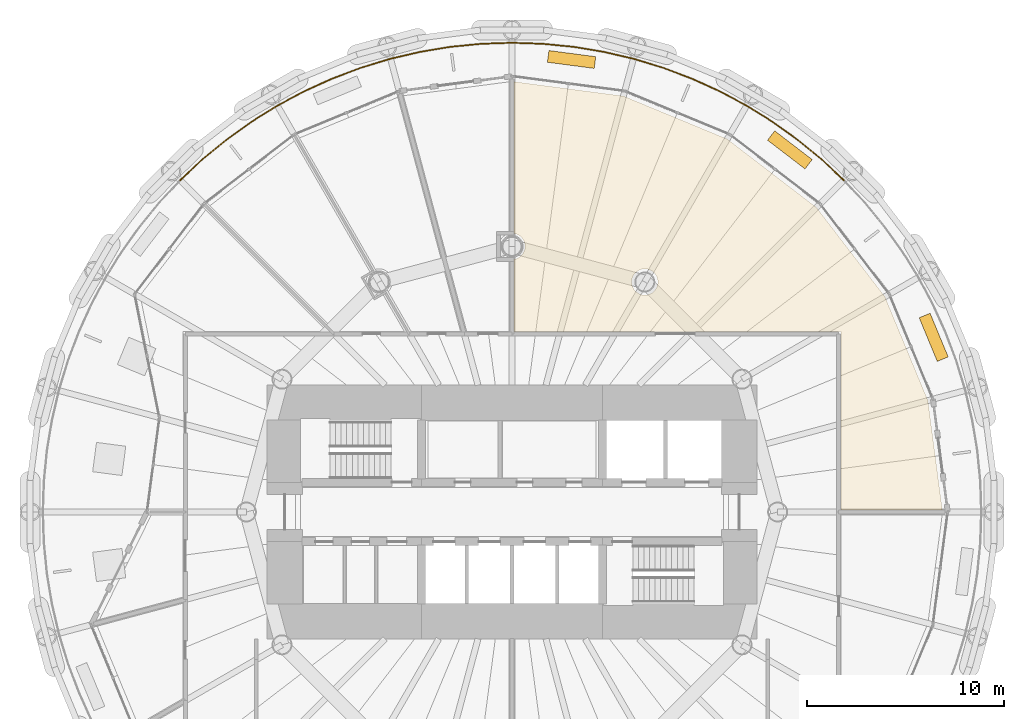
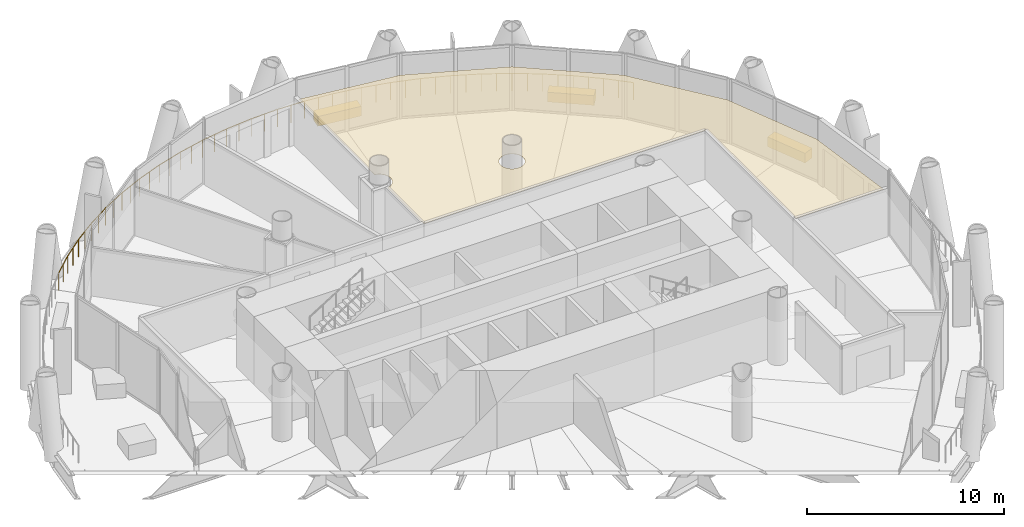
# One storey, part 16 of 16: 4 coverings, 1 railing.
"""IFC4 building model written with IfcOpenShell, lengths in metres."""

from ifc_helpers import new_model, si_unit, direction, frame, origin, origin_2d, place, context, subcontext, project, spatial, polyline, rectangle, circle, outline, extrude, material, layer, layer_set, type_object, element, save


model = new_model("IFC4")

# Units and contexts
model_context = context("Model", 3, precision=1e-05, world=origin(), true_north=direction((0.0, 1.0)))
body_context = subcontext(model_context, "Body", "Model", "MODEL_VIEW")
ifc_project = project(units=[si_unit("LENGTHUNIT", "METRE"), si_unit("AREAUNIT", "SQUARE_METRE"), si_unit("VOLUMEUNIT", "CUBIC_METRE"), si_unit("PLANEANGLEUNIT", "RADIAN"), si_unit("MASSUNIT", "GRAM", prefix="KILO")], contexts=[model_context])

# Site, building, storey
site_placement = place(None, origin())
site = spatial("IfcSite", under=ifc_project, at=site_placement, CompositionType="ELEMENT")
building_placement = place(site_placement, origin())
building = spatial("IfcBuilding", under=site, at=building_placement, Name="Qaws Media Tower", CompositionType="ELEMENT")
storey_placement = place(building_placement, frame((0.0, 0.0, 173.0)))
storey = spatial("IfcBuildingStorey", under=building, at=storey_placement, Name="L39", CompositionType="ELEMENT", Elevation=173.0)

# Railing
ifc_material_1 = material(Name="Stainless steel and glass guard", Category="steel")
railing_type = type_object("IfcRailingType", Name="Balcony guard 1100", PredefinedType="GUARDRAIL", material=ifc_material_1)
railing_placement = place(storey_placement, frame((76.864501953125, 66.864501953125, 0.0)))
element("IfcRailing", 1, at=railing_placement, inside=storey, type_object=railing_type, Name="GR1 balcony guard L39-1", PredefinedType="GUARDRAIL", context=body_context, shape_type="SweptSolid", body=[
    extrude(circle(Radius=0.02392578125, at=origin_2d()), frame((0.0, 0.0, 1.076171875), z_axis=(-0.729878581292, 0.683576811025, 0.0), x_axis=(-0.683576811025, -0.729878581292, 0.0)), (0.0, 0.0, 1.0), 1.560791015625),
    extrude(circle(Radius=0.02392578125, at=origin_2d()), frame((-1.13916015625, 1.06689453125, 1.076171875), z_axis=(-0.773008451366, 0.634395723596, 0.0), x_axis=(-0.634395723596, -0.773008451366, 0.0)), (0.0, 0.0, 1.0), 1.560546875),
    extrude(circle(Radius=0.02392578125, at=origin_2d()), frame((-2.345458984375, 2.056884765625, 1.076171875), z_axis=(-0.812855388371, 0.582465550566, 0.0), x_axis=(-0.582465550566, -0.812855388371, 0.0)), (0.0, 0.0, 1.0), 1.56103515625),
    extrude(circle(Radius=0.02392578125, at=origin_2d()), frame((-3.6142578125, 2.966064453125, 1.076171875), z_axis=(-0.849156389443, 0.528141483191, 0.0), x_axis=(-0.528141483191, -0.849156389443, 0.0)), (0.0, 0.0, 1.0), 1.560546875),
    extrude(circle(Radius=0.02392578125, at=origin_2d()), frame((-4.939453125, 3.790283203125, 1.076171875), z_axis=(-0.881958577003, 0.471326923113, 0.0), x_axis=(-0.471326923113, -0.881958577003, 0.0)), (0.0, 0.0, 1.0), 1.560791015625),
    extrude(circle(Radius=0.02392578125, at=origin_2d()), frame((-6.31591796875, 4.52587890625, 1.076171875), z_axis=(-0.910885403553, 0.412659401438, 0.0), x_axis=(-0.412659401438, -0.910885403553, 0.0)), (0.0, 0.0, 1.0), 1.560791015625),
    extrude(circle(Radius=0.02392578125, at=origin_2d()), frame((-7.737548828125, 5.169921875, 1.076171875), z_axis=(-0.935897765459, 0.352271731208, 0.0), x_axis=(-0.352271731208, -0.935897765459, 0.0)), (0.0, 0.0, 1.0), 1.560791015625),
    extrude(circle(Radius=0.02392578125, at=origin_2d()), frame((-9.1982421875, 5.7197265625, 1.076171875), z_axis=(-0.956921720101, 0.290346037683, 0.0), x_axis=(-0.290346037683, -0.956921720101, 0.0)), (0.0, 0.0, 1.0), 1.560546875),
    extrude(circle(Radius=0.02392578125, at=origin_2d()), frame((-10.691650390625, 6.1728515625, 1.076171875), z_axis=(-0.973866586777, 0.227120829425, 0.0), x_axis=(-0.227120829425, -0.973866586777, 0.0)), (0.0, 0.0, 1.0), 1.560791015625),
    extrude(circle(Radius=0.02392578125, at=origin_2d()), frame((-12.211669921875, 6.52734375, 1.076171875), z_axis=(-0.986650620289, 0.162851323247, 0.0), x_axis=(-0.162851323247, -0.986650620289, 0.0)), (0.0, 0.0, 1.0), 1.560546875),
    extrude(circle(Radius=0.02392578125, at=origin_2d()), frame((-13.75146484375, 6.781494140625, 1.076171875), z_axis=(-0.995193912784, 0.097923827319, 0.0), x_axis=(-0.097923827319, -0.995193912784, 0.0)), (0.0, 0.0, 1.0), 1.560791015625),
    extrude(circle(Radius=0.02392578125, at=origin_2d()), frame((-15.3046875, 6.934326171875, 1.076171875), z_axis=(-0.999460251937, 0.032851252607, 0.0), x_axis=(-0.032851252607, -0.999460251937, 0.0)), (0.0, 0.0, 1.0), 1.560546875),
    extrude(circle(Radius=0.02392578125, at=origin_2d()), frame((-16.864501953125, 6.985595703125, 1.076171875), z_axis=(-0.999460251937, -0.032851252607, 0.0), x_axis=(0.032851252607, -0.999460251937, 0.0)), (0.0, 0.0, 1.0), 1.560546875),
    extrude(circle(Radius=0.02392578125, at=origin_2d()), frame((-18.42431640625, 6.934326171875, 1.076171875), z_axis=(-0.995193912784, -0.097923827319, 0.0), x_axis=(0.097923827319, -0.995193912784, 0.0)), (0.0, 0.0, 1.0), 1.560791015625),
    extrude(circle(Radius=0.02392578125, at=origin_2d()), frame((-19.9775390625, 6.781494140625, 1.076171875), z_axis=(-0.986650620289, -0.162851323247, 0.0), x_axis=(0.162851323247, -0.986650620289, 0.0)), (0.0, 0.0, 1.0), 1.560546875),
    extrude(circle(Radius=0.02392578125, at=origin_2d()), frame((-21.517333984375, 6.52734375, 1.076171875), z_axis=(-0.973866586777, -0.227120829425, 0.0), x_axis=(0.227120829425, -0.973866586777, 0.0)), (0.0, 0.0, 1.0), 1.560791015625),
    extrude(circle(Radius=0.02392578125, at=origin_2d()), frame((-23.037353515625, 6.1728515625, 1.076171875), z_axis=(-0.956921720101, -0.290346037683, 0.0), x_axis=(0.290346037683, -0.956921720101, 0.0)), (0.0, 0.0, 1.0), 1.560546875),
    extrude(circle(Radius=0.02392578125, at=origin_2d()), frame((-24.53076171875, 5.7197265625, 1.076171875), z_axis=(-0.935897765459, -0.352271731208, 0.0), x_axis=(0.352271731208, -0.935897765459, 0.0)), (0.0, 0.0, 1.0), 1.560791015625),
    extrude(circle(Radius=0.02392578125, at=origin_2d()), frame((-25.991455078125, 5.169921875, 1.076171875), z_axis=(-0.910885403553, -0.412659401438, 0.0), x_axis=(0.412659401438, -0.910885403553, 0.0)), (0.0, 0.0, 1.0), 1.560791015625),
    extrude(circle(Radius=0.02392578125, at=origin_2d()), frame((-27.4130859375, 4.52587890625, 1.076171875), z_axis=(-0.881958577003, -0.471326923113, 0.0), x_axis=(0.471326923113, -0.881958577003, 0.0)), (0.0, 0.0, 1.0), 1.560791015625),
    extrude(circle(Radius=0.02392578125, at=origin_2d()), frame((-28.78955078125, 3.790283203125, 1.076171875), z_axis=(-0.849156389443, -0.528141483191, 0.0), x_axis=(0.528141483191, -0.849156389443, 0.0)), (0.0, 0.0, 1.0), 1.560546875),
    extrude(circle(Radius=0.02392578125, at=origin_2d()), frame((-30.11474609375, 2.966064453125, 1.076171875), z_axis=(-0.812855388371, -0.582465550566, 0.0), x_axis=(0.582465550566, -0.812855388371, 0.0)), (0.0, 0.0, 1.0), 1.56103515625),
    extrude(circle(Radius=0.02392578125, at=origin_2d()), frame((-31.383544921875, 2.056884765625, 1.076171875), z_axis=(-0.773008451366, -0.634395723596, 0.0), x_axis=(0.634395723596, -0.773008451366, 0.0)), (0.0, 0.0, 1.0), 1.560546875),
    extrude(circle(Radius=0.02392578125, at=origin_2d()), frame((-32.58984375, 1.06689453125, 1.076171875), z_axis=(-0.729878581292, -0.683576811025, 0.0), x_axis=(0.683576811025, -0.729878581292, 0.0)), (0.0, 0.0, 1.0), 1.560791015625),
    extrude(circle(Radius=0.02099609375, at=origin_2d()), origin(), (0.0, 0.0, 1.0), 1.052001953125),
    extrude(circle(Radius=0.02099609375, at=origin_2d()), frame((-0.569580078125, 0.533447265625, 0.0)), (0.0, 0.0, 1.0), 1.052001953125),
    extrude(circle(Radius=0.02099609375, at=origin_2d()), frame((-1.13916015625, 1.06689453125, 0.0)), (0.0, 0.0, 1.0), 1.052001953125),
    extrude(circle(Radius=0.02099609375, at=origin_2d()), frame((-1.7421875, 1.56201171875, 0.0)), (0.0, 0.0, 1.0), 1.052001953125),
    extrude(circle(Radius=0.02099609375, at=origin_2d()), frame((-2.345458984375, 2.056884765625, 0.0)), (0.0, 0.0, 1.0), 1.052001953125),
    extrude(circle(Radius=0.02099609375, at=origin_2d()), frame((-2.97998046875, 2.511474609375, 0.0)), (0.0, 0.0, 1.0), 1.052001953125),
    extrude(circle(Radius=0.02099609375, at=origin_2d()), frame((-3.6142578125, 2.966064453125, 0.0)), (0.0, 0.0, 1.0), 1.052001953125),
    extrude(circle(Radius=0.02099609375, at=origin_2d()), frame((-4.27685546875, 3.378173828125, 0.0)), (0.0, 0.0, 1.0), 1.052001953125),
    extrude(circle(Radius=0.02099609375, at=origin_2d()), frame((-4.939453125, 3.790283203125, 0.0)), (0.0, 0.0, 1.0), 1.052001953125),
    extrude(circle(Radius=0.02099609375, at=origin_2d()), frame((-5.627685546875, 4.158203125, 0.0)), (0.0, 0.0, 1.0), 1.052001953125),
    extrude(circle(Radius=0.02099609375, at=origin_2d()), frame((-6.31591796875, 4.52587890625, 0.0)), (0.0, 0.0, 1.0), 1.052001953125),
    extrude(circle(Radius=0.02099609375, at=origin_2d()), frame((-7.02685546875, 4.847900390625, 0.0)), (0.0, 0.0, 1.0), 1.052001953125),
    extrude(circle(Radius=0.02099609375, at=origin_2d()), frame((-7.737548828125, 5.169921875, 0.0)), (0.0, 0.0, 1.0), 1.052001953125),
    extrude(circle(Radius=0.02099609375, at=origin_2d()), frame((-8.4677734375, 5.44482421875, 0.0)), (0.0, 0.0, 1.0), 1.052001953125),
    extrude(circle(Radius=0.02099609375, at=origin_2d()), frame((-9.1982421875, 5.7197265625, 0.0)), (0.0, 0.0, 1.0), 1.052001953125),
    extrude(circle(Radius=0.02099609375, at=origin_2d()), frame((-9.94482421875, 5.9462890625, 0.0)), (0.0, 0.0, 1.0), 1.052001953125),
    extrude(circle(Radius=0.02099609375, at=origin_2d()), frame((-10.691650390625, 6.1728515625, 0.0)), (0.0, 0.0, 1.0), 1.052001953125),
    extrude(circle(Radius=0.02099609375, at=origin_2d()), frame((-11.45166015625, 6.35009765625, 0.0)), (0.0, 0.0, 1.0), 1.052001953125),
    extrude(circle(Radius=0.02099609375, at=origin_2d()), frame((-12.211669921875, 6.52734375, 0.0)), (0.0, 0.0, 1.0), 1.052001953125),
    extrude(circle(Radius=0.02099609375, at=origin_2d()), frame((-12.9814453125, 6.654296875, 0.0)), (0.0, 0.0, 1.0), 1.052001953125),
    extrude(circle(Radius=0.02099609375, at=origin_2d()), frame((-13.75146484375, 6.781494140625, 0.0)), (0.0, 0.0, 1.0), 1.052001953125),
    extrude(circle(Radius=0.02099609375, at=origin_2d()), frame((-14.528076171875, 6.85791015625, 0.0)), (0.0, 0.0, 1.0), 1.052001953125),
    extrude(circle(Radius=0.02099609375, at=origin_2d()), frame((-15.3046875, 6.934326171875, 0.0)), (0.0, 0.0, 1.0), 1.052001953125),
    extrude(circle(Radius=0.02099609375, at=origin_2d()), frame((-16.08447265625, 6.9599609375, 0.0)), (0.0, 0.0, 1.0), 1.052001953125),
    extrude(circle(Radius=0.02099609375, at=origin_2d()), frame((-16.864501953125, 6.985595703125, 0.0)), (0.0, 0.0, 1.0), 1.052001953125),
    extrude(circle(Radius=0.02099609375, at=origin_2d()), frame((-17.64453125, 6.9599609375, 0.0)), (0.0, 0.0, 1.0), 1.052001953125),
    extrude(circle(Radius=0.02099609375, at=origin_2d()), frame((-18.42431640625, 6.934326171875, 0.0)), (0.0, 0.0, 1.0), 1.052001953125),
    extrude(circle(Radius=0.02099609375, at=origin_2d()), frame((-19.200927734375, 6.85791015625, 0.0)), (0.0, 0.0, 1.0), 1.052001953125),
    extrude(circle(Radius=0.02099609375, at=origin_2d()), frame((-19.9775390625, 6.781494140625, 0.0)), (0.0, 0.0, 1.0), 1.052001953125),
    extrude(circle(Radius=0.02099609375, at=origin_2d()), frame((-20.74755859375, 6.654296875, 0.0)), (0.0, 0.0, 1.0), 1.052001953125),
    extrude(circle(Radius=0.02099609375, at=origin_2d()), frame((-21.517333984375, 6.52734375, 0.0)), (0.0, 0.0, 1.0), 1.052001953125),
    extrude(circle(Radius=0.02099609375, at=origin_2d()), frame((-22.27734375, 6.35009765625, 0.0)), (0.0, 0.0, 1.0), 1.052001953125),
    extrude(circle(Radius=0.02099609375, at=origin_2d()), frame((-23.037353515625, 6.1728515625, 0.0)), (0.0, 0.0, 1.0), 1.052001953125),
    extrude(circle(Radius=0.02099609375, at=origin_2d()), frame((-23.7841796875, 5.9462890625, 0.0)), (0.0, 0.0, 1.0), 1.052001953125),
    extrude(circle(Radius=0.02099609375, at=origin_2d()), frame((-24.53076171875, 5.7197265625, 0.0)), (0.0, 0.0, 1.0), 1.052001953125),
    extrude(circle(Radius=0.02099609375, at=origin_2d()), frame((-25.26123046875, 5.44482421875, 0.0)), (0.0, 0.0, 1.0), 1.052001953125),
    extrude(circle(Radius=0.02099609375, at=origin_2d()), frame((-25.991455078125, 5.169921875, 0.0)), (0.0, 0.0, 1.0), 1.052001953125),
    extrude(circle(Radius=0.02099609375, at=origin_2d()), frame((-26.7021484375, 4.847900390625, 0.0)), (0.0, 0.0, 1.0), 1.052001953125),
    extrude(circle(Radius=0.02099609375, at=origin_2d()), frame((-27.4130859375, 4.52587890625, 0.0)), (0.0, 0.0, 1.0), 1.052001953125),
    extrude(circle(Radius=0.02099609375, at=origin_2d()), frame((-28.101318359375, 4.158203125, 0.0)), (0.0, 0.0, 1.0), 1.052001953125),
    extrude(circle(Radius=0.02099609375, at=origin_2d()), frame((-28.78955078125, 3.790283203125, 0.0)), (0.0, 0.0, 1.0), 1.052001953125),
    extrude(circle(Radius=0.02099609375, at=origin_2d()), frame((-29.4521484375, 3.378173828125, 0.0)), (0.0, 0.0, 1.0), 1.052001953125),
    extrude(circle(Radius=0.02099609375, at=origin_2d()), frame((-30.11474609375, 2.966064453125, 0.0)), (0.0, 0.0, 1.0), 1.052001953125),
    extrude(circle(Radius=0.02099609375, at=origin_2d()), frame((-30.7490234375, 2.511474609375, 0.0)), (0.0, 0.0, 1.0), 1.052001953125),
    extrude(circle(Radius=0.02099609375, at=origin_2d()), frame((-31.383544921875, 2.056884765625, 0.0)), (0.0, 0.0, 1.0), 1.052001953125),
    extrude(circle(Radius=0.02099609375, at=origin_2d()), frame((-31.98681640625, 1.56201171875, 0.0)), (0.0, 0.0, 1.0), 1.052001953125),
    extrude(circle(Radius=0.02099609375, at=origin_2d()), frame((-32.58984375, 1.06689453125, 0.0)), (0.0, 0.0, 1.0), 1.052001953125),
    extrude(circle(Radius=0.02099609375, at=origin_2d()), frame((-33.159423828125, 0.533447265625, 0.0)), (0.0, 0.0, 1.0), 1.052001953125),
    extrude(circle(Radius=0.02099609375, at=origin_2d()), frame((-33.72900390625, 0.0, 0.0)), (0.0, 0.0, 1.0), 1.052001953125),
])

# Coverings
ifc_material_2 = material(Name="600 x 600 mineral fibre tiles in exposed grid, suspended", Category="mineral fibre")
ifc_layer_1 = layer(ifc_material_2, 0.02001953125)
ifc_layer_set_1 = layer_set([ifc_layer_1], Name="Mineral fibre tile ceiling 20")
covering_type_1 = type_object("IfcCoveringType", Name="Mineral fibre tile ceiling 20", PredefinedType="CEILING", material=ifc_layer_set_1)
covering_placement = place(storey_placement, frame((0.0, 0.0, 2.85009765625)))
element("IfcCovering", 2, at=covering_placement, inside=storey, type_object=covering_type_1, Name="CL1 ceiling L39-02 Strategy office", PredefinedType="CEILING", context=body_context, shape_type="SweptSolid", body=[
    extrude(outline(polyline([(65.664306640625, 71.139404296875), (70.942626953125, 68.953125), (75.47509765625, 65.47509765625), (78.953125, 60.942626953125), (81.139404296875, 55.664306640625), (81.870361328125, 50.112548828125), (76.71240234375, 50.112548828125), (76.71240234375, 59.16259765625), (60.112548828125, 59.16259765625), (60.112548828125, 62.8427734375), (60.1728515625, 62.854736328125), (60.255615234375, 62.8828125), (60.333984375, 62.92138671875), (60.40673828125, 62.969970703125), (60.472412109375, 63.027587890625), (60.530029296875, 63.09326171875), (60.57861328125, 63.166015625), (60.6171875, 63.244384765625), (60.645263671875, 63.3271484375), (60.662353515625, 63.412841796875), (60.66796875, 63.5), (60.662353515625, 63.587158203125), (60.645263671875, 63.6728515625), (60.6171875, 63.755615234375), (60.57861328125, 63.833984375), (60.530029296875, 63.90673828125), (60.472412109375, 63.972412109375), (60.40673828125, 64.030029296875), (60.333984375, 64.07861328125), (60.255615234375, 64.1171875), (60.1728515625, 64.145263671875), (60.112548828125, 64.1572265625), (60.112548828125, 71.870361328125), (65.664306640625, 71.139404296875)]), holes=[polyline([(67.3671875, 61.435791015625), (67.395263671875, 61.5185546875), (67.412353515625, 61.604248046875), (67.41796875, 61.69140625), (67.412353515625, 61.778564453125), (67.395263671875, 61.8642578125), (67.3671875, 61.947021484375), (67.32861328125, 62.025390625), (67.280029296875, 62.097900390625), (67.222412109375, 62.163818359375), (67.15673828125, 62.22119140625), (67.083984375, 62.269775390625), (67.005615234375, 62.30859375), (66.9228515625, 62.336669921875), (66.837158203125, 62.353515625), (66.75, 62.359375), (66.662841796875, 62.353515625), (66.5771484375, 62.336669921875), (66.494384765625, 62.30859375), (66.416015625, 62.269775390625), (66.34326171875, 62.22119140625), (66.277587890625, 62.163818359375), (66.219970703125, 62.097900390625), (66.17138671875, 62.025390625), (66.1328125, 61.947021484375), (66.104736328125, 61.8642578125), (66.087646484375, 61.778564453125), (66.08203125, 61.69140625), (66.087646484375, 61.604248046875), (66.104736328125, 61.5185546875), (66.1328125, 61.435791015625), (66.17138671875, 61.357421875), (66.219970703125, 61.28466796875), (66.277587890625, 61.218994140625), (66.34326171875, 61.161376953125), (66.416015625, 61.11279296875), (66.494384765625, 61.07421875), (66.5771484375, 61.046142578125), (66.662841796875, 61.029052734375), (66.75, 61.023193359375), (66.837158203125, 61.029052734375), (66.9228515625, 61.046142578125), (67.005615234375, 61.07421875), (67.083984375, 61.11279296875), (67.15673828125, 61.161376953125), (67.222412109375, 61.218994140625), (67.280029296875, 61.28466796875), (67.32861328125, 61.357421875), (67.3671875, 61.435791015625)])]), origin(), (0.0, 0.0, 1.0), 0.02001953125),
])
ifc_material_3 = material(Name="Precast concrete planter with trailing planting", Category="concrete")
ifc_layer_2 = layer(ifc_material_3, 0.60009765625)
ifc_layer_set_2 = layer_set([ifc_layer_2], Name="Planter 2400x600")
covering_type_2 = type_object("IfcCoveringType", Name="Planter 2400x600", PredefinedType="USERDEFINED", material=ifc_layer_set_2)
for number, where, z_axis, x_axis, name in (
    (3, (81.43408203125, 58.878173828125, 0.0), (0.0, 0.0, 1.0), (-0.382683432365, 0.923879532511, 0.0), "PL1 balcony planter L39-01"),
    (4, (74.123291015625, 68.40576171875, 0.0), (0.0, 0.0, 1.0), (-0.793353340291, 0.608761429009, 0.0), "PL1 balcony planter L39-02"),
    (5, (63.0283203125, 73.00146484375, 0.0), (0.0, 0.0, 1.0), (-0.991444861374, 0.13052619222, 0.0), "PL1 balcony planter L39-03"),
):
    element("IfcCovering", number, at=place(storey_placement, frame(where, z_axis=z_axis, x_axis=x_axis)), inside=storey, type_object=covering_type_2, Name=name, ObjectType="PLANTER", PredefinedType="USERDEFINED", context=body_context, shape_type="SweptSolid", body=[
        extrude(rectangle(XDim=2.39990234375, YDim=0.60009765625, at=origin_2d()), origin(), (0.0, 0.0, 1.0), 0.60009765625),
    ])

save(model, "model.ifc")
